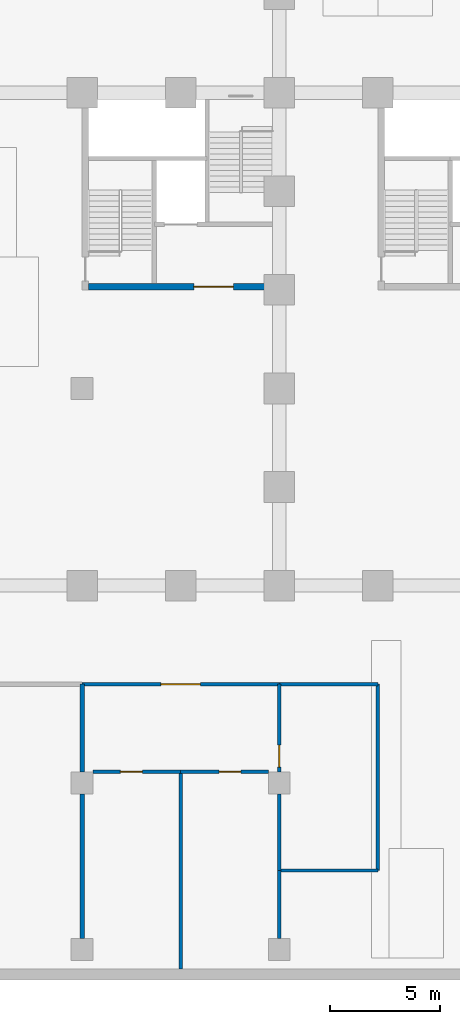
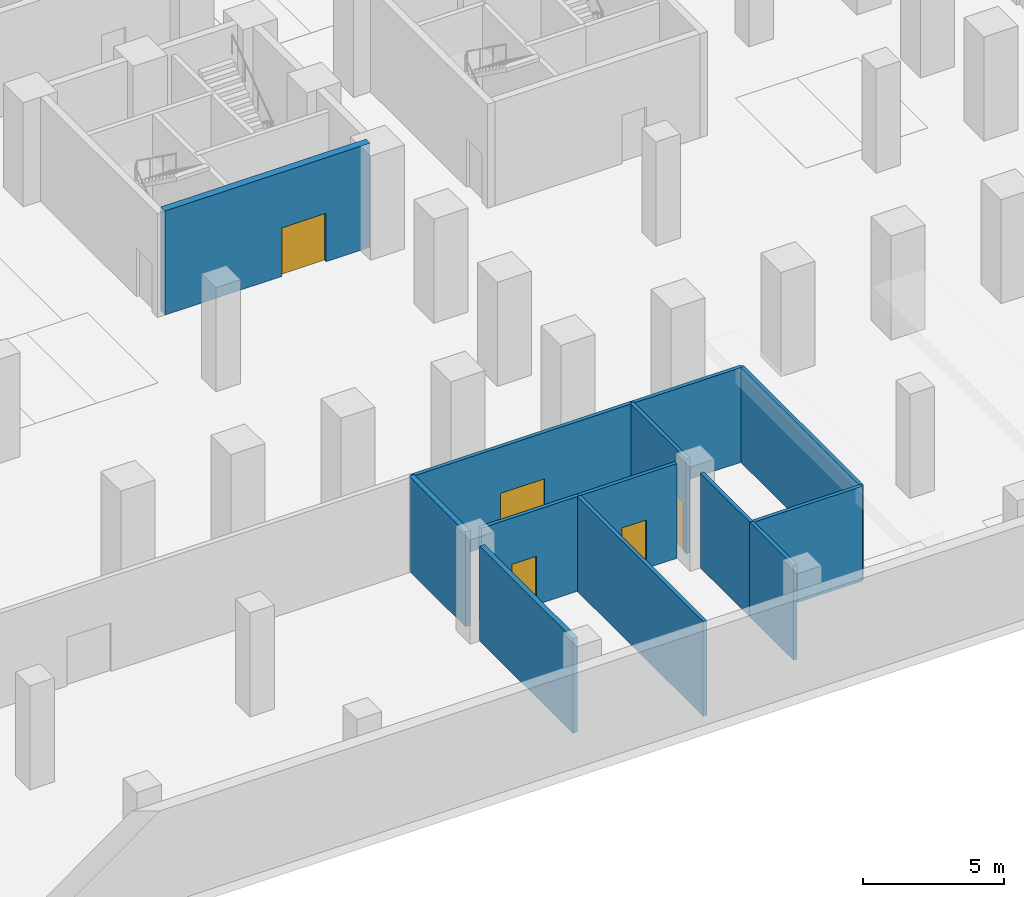
# One storey, part 4 of 16: 13 walls, 5 doors, 5 openings.
"""IFC4 building model written with IfcOpenShell, lengths in metres."""

from ifc_helpers import new_model, si_unit, direction, frame, frame_2d, origin, place, context, subcontext, project, spatial, rectangle, extrude, material, layer, layer_set, type_object, element, fill, save


model = new_model("IFC4")

# Units and contexts
model_context = context("Model", 3, precision=1e-05, world=origin(), true_north=direction((0.0, 1.0)))
body_context = subcontext(model_context, "Body", "Model", "MODEL_VIEW")
ifc_project = project(units=[si_unit("LENGTHUNIT", "METRE"), si_unit("AREAUNIT", "SQUARE_METRE"), si_unit("VOLUMEUNIT", "CUBIC_METRE"), si_unit("PLANEANGLEUNIT", "RADIAN"), si_unit("MASSUNIT", "GRAM", prefix="KILO")], contexts=[model_context])

# Site, building, storey
site_placement = place(None, origin())
site = spatial("IfcSite", under=ifc_project, at=site_placement, CompositionType="ELEMENT")
building_placement = place(site_placement, origin())
building = spatial("IfcBuilding", under=site, at=building_placement, Name="Quoin Convention Tower", CompositionType="ELEMENT")
storey_placement = place(building_placement, frame((0.0, 0.0, -4.5)))
storey = spatial("IfcBuildingStorey", under=building, at=storey_placement, Name="B1", CompositionType="ELEMENT", Elevation=-4.5)

# Walls
ifc_material_1 = material(Name="Plasterboard")
ifc_layer_1 = layer(ifc_material_1, 0.012451171875, Name="Finish")
ifc_material_2 = material(Name="Steel stud framing", Category="steel")
ifc_layer_2 = layer(ifc_material_2, 0.175048828125, Name="Structure")
ifc_layer_3 = layer(ifc_material_1, 0.012451171875, Name="Finish")
ifc_layer_set_1 = layer_set([ifc_layer_1, ifc_layer_2, ifc_layer_3], Name="Steel stud framing")
wall_type_1 = type_object("IfcWallType", Name="Car park wall 200", PredefinedType="PARTITIONING", material=ifc_layer_set_1)
wall_1_placement = place(storey_placement, frame((27.0, 1.89990234375, 0.0), z_axis=(0.0, 0.0, 1.0), x_axis=(0.0, 1.0, 0.0)))
element("IfcWall", 1, at=wall_1_placement, inside=storey, type_object=wall_type_1, Name="pw-B1-001", PredefinedType="PARTITIONING", context=body_context, shape_type="SweptSolid", body=[
    extrude(rectangle(XDim=6.60009765625, YDim=0.199951171875, at=frame_2d((3.300048828125, 0.0))), origin(), (0.0, 0.0, 1.0), 4.10009765625),
])
wall_2_placement = place(storey_placement, frame((27.0, 9.5, 0.0), z_axis=(0.0, 0.0, 1.0), x_axis=(0.0, 1.0, 0.0)))
element("IfcWall", 2, at=wall_2_placement, inside=storey, type_object=wall_type_1, Name="pw-B1-008", PredefinedType="PARTITIONING", context=body_context, shape_type="SweptSolid", body=[
    extrude(rectangle(XDim=4.0, YDim=0.199951171875, at=frame_2d((2.0, 0.0))), origin(), (0.0, 0.0, 1.0), 4.10009765625),
])
ifc_layer_4 = layer(ifc_material_1, 0.012451171875, Name="Finish")
ifc_layer_5 = layer(ifc_material_2, 0.125, Name="Structure")
ifc_layer_6 = layer(ifc_material_1, 0.012451171875, Name="Finish")
ifc_layer_set_2 = layer_set([ifc_layer_4, ifc_layer_5, ifc_layer_6], Name="Steel stud framing")
wall_type_2 = type_object("IfcWallType", Name="Partition wall 150", PredefinedType="PARTITIONING", material=ifc_layer_set_2)
wall_3_placement = place(storey_placement, frame((36.0, 1.89990234375, 0.0), z_axis=(0.0, 0.0, 1.0), x_axis=(0.0, 1.0, 0.0)))
element("IfcWall", 3, at=wall_3_placement, inside=storey, type_object=wall_type_2, Name="pw-B1-003", PredefinedType="PARTITIONING", context=body_context, shape_type="SweptSolid", body=[
    extrude(rectangle(XDim=3.10009765625, YDim=0.14990234375, at=frame_2d((1.550048828125, 0.0))), origin(), (0.0, 0.0, 1.0), 4.10009765625),
])
wall_4_placement = place(storey_placement, frame((36.0, 5.0, 0.0), z_axis=(0.0, 0.0, 1.0), x_axis=(1.0, 0.0, 0.0)))
element("IfcWall", 4, at=wall_4_placement, inside=storey, type_object=wall_type_2, Name="pw-B1-004", PredefinedType="PARTITIONING", context=body_context, shape_type="SweptSolid", body=[
    extrude(rectangle(XDim=4.5, YDim=0.14990234375, at=frame_2d((2.25, 0.0))), origin(), (0.0, 0.0, 1.0), 4.10009765625),
])
wall_5_placement = place(storey_placement, frame((40.5, 5.0, 0.0), z_axis=(0.0, 0.0, 1.0), x_axis=(0.0, 1.0, 0.0)))
element("IfcWall", 5, at=wall_5_placement, inside=storey, type_object=wall_type_2, Name="pw-B1-006", PredefinedType="PARTITIONING", context=body_context, shape_type="SweptSolid", body=[
    extrude(rectangle(XDim=8.5, YDim=0.14990234375, at=frame_2d((4.25, 0.0))), origin(), (0.0, 0.0, 1.0), 4.10009765625),
])

# Wall, opening, door
wall_6_placement = place(storey_placement, frame((27.5, 9.5, 0.0), z_axis=(0.0, 0.0, 1.0), x_axis=(1.0, 0.0, 0.0)))
wall_6 = element("IfcWall", 6, at=wall_6_placement, inside=storey, type_object=wall_type_2, Name="pw-B1-007", PredefinedType="PARTITIONING", context=body_context, shape_type="SweptSolid", body=[
    extrude(rectangle(XDim=4.0, YDim=0.14990234375, at=frame_2d((2.0, 0.0))), origin(), (0.0, 0.0, 1.0), 4.10009765625),
])
opening_1_placement = place(wall_6_placement, frame((1.25, 0.0, 0.0)))
opening_1 = element("IfcOpeningElement", 7, at=opening_1_placement, cuts=wall_6, Name="Opening DPDB1-01", PredefinedType="OPENING", context=body_context, shape_type="SweptSolid", body=[
    extrude(rectangle(XDim=1.0, YDim=2.10009765625, at=frame_2d((0.5, 1.050048828125))), frame((0.0, 0.0849609375, 0.0), z_axis=(0.0, -1.0, 0.0), x_axis=(1.0, 0.0, 0.0)), (0.0, 0.0, 1.0), 0.169921875),
])
ifc_material_3 = material(Name="Steel door leaf", Category="steel")
door_type_1 = type_object("IfcDoorType", Name="Washroom door 1000", OperationType="SINGLE_SWING_RIGHT", PredefinedType="DOOR", material=ifc_material_3)
door_1_placement = place(opening_1_placement, frame((1.0, 0.0, 0.0), z_axis=(0.0, 0.0, 1.0), x_axis=(-1.0, 0.0, 0.0)))
door_1 = element("IfcDoor", 8, at=door_1_placement, inside=storey, type_object=door_type_1, Name="dr-B1-003", OperationType="SINGLE_SWING_RIGHT", OverallHeight=2.10009765625, OverallWidth=1.0, PredefinedType="DOOR", context=body_context, shape_type="SweptSolid", body=[
    extrude(rectangle(XDim=1.0, YDim=2.10009765625, at=frame_2d((0.5, 1.050048828125))), frame((0.0, 0.02490234375, 0.0), z_axis=(0.0, -1.0, 0.0), x_axis=(1.0, 0.0, 0.0)), (0.0, 0.0, 1.0), 0.050048828125),
])
fill(opening_1, door_1)

wall_7_placement = place(storey_placement, frame((31.5, 9.5, 0.0), z_axis=(0.0, 0.0, 1.0), x_axis=(1.0, 0.0, 0.0)))
wall_7 = element("IfcWall", 9, at=wall_7_placement, inside=storey, type_object=wall_type_2, Name="pw-B1-009", PredefinedType="PARTITIONING", context=body_context, shape_type="SweptSolid", body=[
    extrude(rectangle(XDim=4.0, YDim=0.14990234375, at=frame_2d((2.0, 0.0))), origin(), (0.0, 0.0, 1.0), 4.10009765625),
])
opening_2_placement = place(wall_7_placement, frame((1.75, 0.0, 0.0)))
opening_2 = element("IfcOpeningElement", 10, at=opening_2_placement, cuts=wall_7, Name="Opening DPDB1-02", PredefinedType="OPENING", context=body_context, shape_type="SweptSolid", body=[
    extrude(rectangle(XDim=1.0, YDim=2.10009765625, at=frame_2d((0.5, 1.050048828125))), frame((0.0, 0.0849609375, 0.0), z_axis=(0.0, -1.0, 0.0), x_axis=(1.0, 0.0, 0.0)), (0.0, 0.0, 1.0), 0.169921875),
])
door_2_placement = place(opening_2_placement, frame((1.0, 0.0, 0.0), z_axis=(0.0, 0.0, 1.0), x_axis=(-1.0, 0.0, 0.0)))
door_2 = element("IfcDoor", 11, at=door_2_placement, inside=storey, type_object=door_type_1, Name="dr-B1-004", OperationType="SINGLE_SWING_LEFT", OverallHeight=2.10009765625, OverallWidth=1.0, PredefinedType="DOOR", context=body_context, shape_type="SweptSolid", body=[
    extrude(rectangle(XDim=1.0, YDim=2.10009765625, at=frame_2d((0.5, 1.050048828125))), frame((0.0, 0.02490234375, 0.0), z_axis=(0.0, -1.0, 0.0), x_axis=(1.0, 0.0, 0.0)), (0.0, 0.0, 1.0), 0.050048828125),
])
fill(opening_2, door_2)

wall_8_placement = place(storey_placement, frame((27.0, 13.5, 0.0), z_axis=(0.0, 0.0, 1.0), x_axis=(1.0, 0.0, 0.0)))
wall_8 = element("IfcWall", 12, at=wall_8_placement, inside=storey, type_object=wall_type_2, Name="pw-B1-012", PredefinedType="PARTITIONING", context=body_context, shape_type="SweptSolid", body=[
    extrude(rectangle(XDim=9.0, YDim=0.14990234375, at=frame_2d((4.5, 0.0))), origin(), (0.0, 0.0, 1.0), 4.10009765625),
])
opening_3_placement = place(wall_8_placement, frame((3.60009765625, 0.0, 0.0)))
opening_3 = element("IfcOpeningElement", 13, at=opening_3_placement, cuts=wall_8, Name="Opening DPDB1-05", PredefinedType="OPENING", context=body_context, shape_type="SweptSolid", body=[
    extrude(rectangle(XDim=1.800048828125, YDim=2.10009765625, at=frame_2d((0.89990234375, 1.050048828125))), frame((0.0, 0.0849609375, 0.0), z_axis=(0.0, -1.0, 0.0), x_axis=(1.0, 0.0, 0.0)), (0.0, 0.0, 1.0), 0.169921875),
])
door_type_2 = type_object("IfcDoorType", Name="Double leaf door 1800", OperationType="DOUBLE_DOOR_SINGLE_SWING", PredefinedType="DOOR", material=ifc_material_3)
door_3_placement = place(opening_3_placement, origin())
door_3 = element("IfcDoor", 14, at=door_3_placement, inside=storey, type_object=door_type_2, Name="dr-B1-002", OperationType="DOUBLE_DOOR_SINGLE_SWING", OverallHeight=2.10009765625, OverallWidth=1.800048828125, PredefinedType="DOOR", context=body_context, shape_type="SweptSolid", body=[
    extrude(rectangle(XDim=1.800048828125, YDim=2.10009765625, at=frame_2d((0.89990234375, 1.050048828125))), frame((0.0, 0.02490234375, 0.0), z_axis=(0.0, -1.0, 0.0), x_axis=(1.0, 0.0, 0.0)), (0.0, 0.0, 1.0), 0.050048828125),
])
fill(opening_3, door_3)

# Wall
wall_9_placement = place(storey_placement, frame((36.0, 13.5, 0.0), z_axis=(0.0, 0.0, 1.0), x_axis=(1.0, 0.0, 0.0)))
element("IfcWall", 15, at=wall_9_placement, inside=storey, type_object=wall_type_2, Name="pw-B1-013", PredefinedType="PARTITIONING", context=body_context, shape_type="SweptSolid", body=[
    extrude(rectangle(XDim=4.5, YDim=0.14990234375, at=frame_2d((2.25, 0.0))), origin(), (0.0, 0.0, 1.0), 4.10009765625),
])

# Wall, opening, door
ifc_material_4 = material(Name="Concrete C100 (100 MPa)", Category="concrete")
ifc_layer_7 = layer(ifc_material_4, 0.300048828125)
ifc_layer_set_3 = layer_set([ifc_layer_7], Name="Concrete C100 (100 MPa)")
wall_type_3 = type_object("IfcWallType", Name="RC CORE WALL 300 C100", PredefinedType="SHEAR", material=ifc_layer_set_3)
wall_10_placement = place(storey_placement, frame((27.300048828125, 31.64990234375, 0.0), z_axis=(0.0, 0.0, 1.0), x_axis=(1.0, 0.0, 0.0)))
wall_10 = element("IfcWall", 16, at=wall_10_placement, inside=storey, type_object=wall_type_3, Name="cwl-P4-B1-S", PredefinedType="SHEAR", context=body_context, shape_type="SweptSolid", body=[
    extrude(rectangle(XDim=8.39990234375, YDim=0.300048828125, at=frame_2d((4.199951171875, 0.0))), origin(), (0.0, 0.0, 1.0), 4.5),
])
opening_4_placement = place(wall_10_placement, frame((4.800048828125, 0.0, 0.0)))
opening_4 = element("IfcOpeningElement", 17, at=opening_4_placement, cuts=wall_10, Name="Opening DCV0-62", PredefinedType="OPENING", context=body_context, shape_type="SweptSolid", body=[
    extrude(rectangle(XDim=1.800048828125, YDim=2.10009765625, at=frame_2d((0.89990234375, 1.050048828125))), frame((0.0, 0.159912109375, 0.0), z_axis=(0.0, -1.0, 0.0), x_axis=(1.0, 0.0, 0.0)), (0.0, 0.0, 1.0), 0.320068359375),
])
door_type_3 = type_object("IfcDoorType", Name="Goods lobby door 1800 x 2100", OperationType="SINGLE_SWING_LEFT", PredefinedType="DOOR", material=ifc_material_3)
door_4_placement = place(opening_4_placement, frame((1.800048828125, 0.0, 0.0), z_axis=(0.0, 0.0, 1.0), x_axis=(-1.0, 0.0, 0.0)))
door_4 = element("IfcDoor", 18, at=door_4_placement, inside=storey, type_object=door_type_3, Name="cd-P4-B1-R2-S", OperationType="SINGLE_SWING_LEFT", OverallHeight=2.10009765625, OverallWidth=1.800048828125, PredefinedType="DOOR", context=body_context, shape_type="SweptSolid", body=[
    extrude(rectangle(XDim=1.800048828125, YDim=2.10009765625, at=frame_2d((0.89990234375, 1.050048828125))), frame((0.0, 0.02490234375, 0.0), z_axis=(0.0, -1.0, 0.0), x_axis=(1.0, 0.0, 0.0)), (0.0, 0.0, 1.0), 0.050048828125),
])
fill(opening_4, door_4)

# Walls
ifc_layer_8 = layer(ifc_material_1, 0.012451171875, Name="Finish")
ifc_layer_9 = layer(ifc_material_2, 0.125, Name="Structure")
ifc_layer_10 = layer(ifc_material_1, 0.012451171875, Name="Finish")
ifc_layer_set_4 = layer_set([ifc_layer_8, ifc_layer_9, ifc_layer_10], Name="Steel stud framing")
wall_type_4 = type_object("IfcWallType", Name="Wet area wall 150", PredefinedType="PARTITIONING", material=ifc_layer_set_4)
wall_11_placement = place(storey_placement, frame((31.5, 0.5, 0.0), z_axis=(0.0, 0.0, 1.0), x_axis=(0.0, 1.0, 0.0)))
element("IfcWall", 19, at=wall_11_placement, inside=storey, type_object=wall_type_4, Name="pw-B1-002", PredefinedType="PARTITIONING", context=body_context, shape_type="SweptSolid", body=[
    extrude(rectangle(XDim=9.0, YDim=0.14990234375, at=frame_2d((4.5, 0.0))), origin(), (0.0, 0.0, 1.0), 4.10009765625),
])
wall_12_placement = place(storey_placement, frame((36.0, 5.0, 0.0), z_axis=(0.0, 0.0, 1.0), x_axis=(0.0, 1.0, 0.0)))
element("IfcWall", 20, at=wall_12_placement, inside=storey, type_object=wall_type_4, Name="pw-B1-005", PredefinedType="PARTITIONING", context=body_context, shape_type="SweptSolid", body=[
    extrude(rectangle(XDim=3.5, YDim=0.14990234375, at=frame_2d((1.75, 0.0))), origin(), (0.0, 0.0, 1.0), 4.10009765625),
])

# Wall, opening, door
wall_13_placement = place(storey_placement, frame((36.0, 9.5, 0.0), z_axis=(0.0, 0.0, 1.0), x_axis=(0.0, 1.0, 0.0)))
wall_13 = element("IfcWall", 21, at=wall_13_placement, inside=storey, type_object=wall_type_4, Name="pw-B1-010", PredefinedType="PARTITIONING", context=body_context, shape_type="SweptSolid", body=[
    extrude(rectangle(XDim=4.0, YDim=0.14990234375, at=frame_2d((2.0, 0.0))), origin(), (0.0, 0.0, 1.0), 4.10009765625),
])
opening_5_placement = place(wall_13_placement, frame((0.219970703125, 0.0, 0.0)))
opening_5 = element("IfcOpeningElement", 22, at=opening_5_placement, cuts=wall_13, Name="Opening DPDB1-03", PredefinedType="OPENING", context=body_context, shape_type="SweptSolid", body=[
    extrude(rectangle(XDim=1.0, YDim=2.10009765625, at=frame_2d((0.5, 1.050048828125))), frame((0.0, 0.0849609375, 0.0), z_axis=(0.0, -1.0, 0.0), x_axis=(1.0, 0.0, 0.0)), (0.0, 0.0, 1.0), 0.169921875),
])
door_5_placement = place(opening_5_placement, frame((1.0, 0.0, 0.0), z_axis=(0.0, 0.0, 1.0), x_axis=(-1.0, 0.0, 0.0)))
door_5 = element("IfcDoor", 23, at=door_5_placement, inside=storey, type_object=door_type_1, Name="dr-B1-005", OperationType="SINGLE_SWING_RIGHT", OverallHeight=2.10009765625, OverallWidth=1.0, PredefinedType="DOOR", context=body_context, shape_type="SweptSolid", body=[
    extrude(rectangle(XDim=1.0, YDim=2.10009765625, at=frame_2d((0.5, 1.050048828125))), frame((0.0, 0.02490234375, 0.0), z_axis=(0.0, -1.0, 0.0), x_axis=(1.0, 0.0, 0.0)), (0.0, 0.0, 1.0), 0.050048828125),
])
fill(opening_5, door_5)

save(model, "model.ifc")
